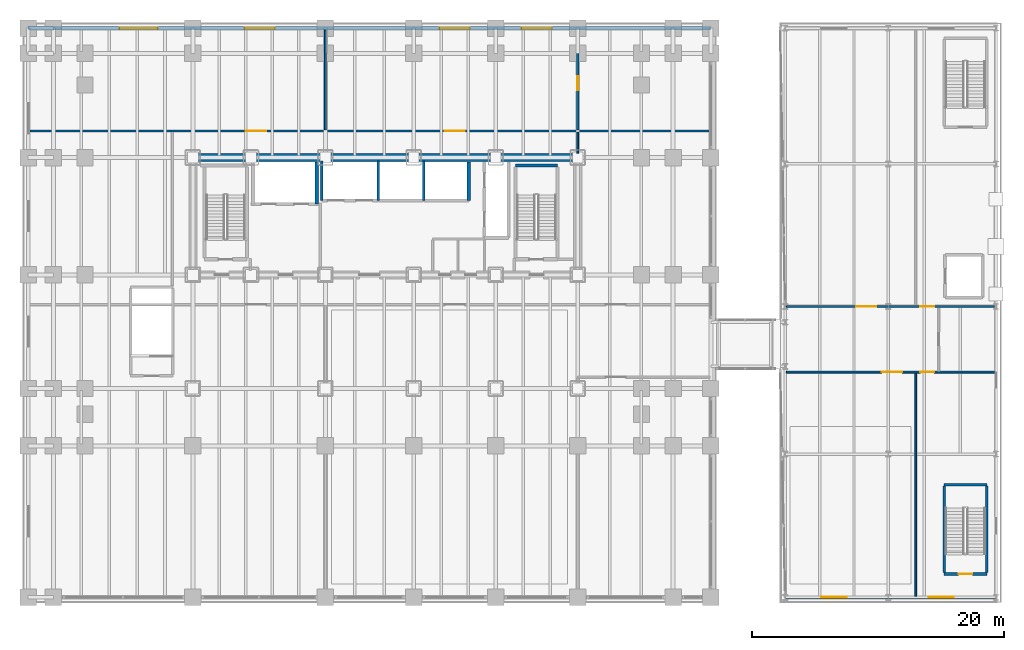
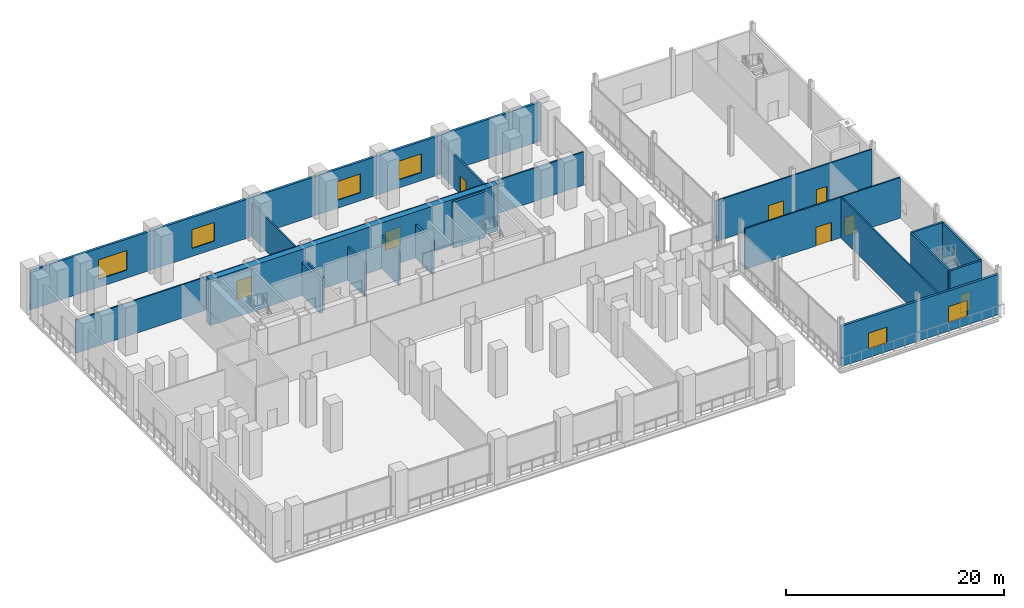
# One storey, part 23 of 30: 20 walls, 8 doors, 6 windows, 14 openings.
"""IFC4 building model written with IfcOpenShell, lengths in metres."""

from ifc_helpers import new_model, si_unit, direction, frame, frame_2d, origin, place, context, subcontext, project, spatial, rectangle, extrude, material, layer, layer_set, type_object, element, fill, save


model = new_model("IFC4")

# Units and contexts
model_context = context("Model", 3, precision=1e-05, world=origin(), true_north=direction((0.0, 1.0)))
body_context = subcontext(model_context, "Body", "Model", "MODEL_VIEW")
ifc_project = project(units=[si_unit("LENGTHUNIT", "METRE"), si_unit("AREAUNIT", "SQUARE_METRE"), si_unit("VOLUMEUNIT", "CUBIC_METRE"), si_unit("PLANEANGLEUNIT", "RADIAN"), si_unit("MASSUNIT", "GRAM", prefix="KILO")], contexts=[model_context])

# Site, building, storey
site_placement = place(None, origin())
site = spatial("IfcSite", under=ifc_project, at=site_placement, CompositionType="ELEMENT")
building_placement = place(site_placement, origin())
building = spatial("IfcBuilding", under=site, at=building_placement, Name="Noeulbin Bourse Tower", CompositionType="ELEMENT")
storey_placement = place(building_placement, frame((0.0, 0.0, 16.60009765625)))
storey = spatial("IfcBuildingStorey", under=building, at=storey_placement, Name="L04", CompositionType="ELEMENT", Elevation=16.60009765625)

# Wall
ifc_material_1 = material(Name="Concrete C60/75", Category="concrete")
ifc_layer_1 = layer(ifc_material_1, 0.64990234375)
ifc_layer_set_1 = layer_set([ifc_layer_1], Name="Concrete C60/75")
wall_type_1 = type_object("IfcWallType", Name="WAL-CORE-650", PredefinedType="SHEAR", material=ifc_layer_set_1)
wall_1_placement = place(storey_placement, frame((13.5, 38.300048828125, 0.0), z_axis=(0.0, 0.0, 1.0), x_axis=(1.0, 0.0, 0.0)))
element("IfcWall", 1, at=wall_1_placement, inside=storey, type_object=wall_type_1, Name="Rear Core North Shear Wall L04", PredefinedType="SHEAR", context=body_context, shape_type="SweptSolid", body=[
    extrude(rectangle(XDim=30.5, YDim=0.64990234375, at=frame_2d((15.25, 0.0))), origin(), (0.0, 0.0, 1.0), 5.159912109375),
])

# Wall, openings, windows
ifc_material_2 = material(Name="Precast Concrete C40/50", Category="concrete")
ifc_layer_2 = layer(ifc_material_2, 0.25)
ifc_layer_set_2 = layer_set([ifc_layer_2], Name="Precast Concrete C40/50")
wall_type_2 = type_object("IfcWallType", Name="WAL-EXT-250", PredefinedType="STANDARD", material=ifc_layer_set_2)
wall_2_placement = place(storey_placement, frame((0.449951171875, 48.550048828125, 0.0), z_axis=(0.0, 0.0, 1.0), x_axis=(1.0, 0.0, 0.0)))
wall_2 = element("IfcWall", 2, at=wall_2_placement, inside=storey, type_object=wall_type_2, Name="Podium North Precast Wall L04", PredefinedType="STANDARD", context=body_context, shape_type="SweptSolid", body=[
    extrude(rectangle(XDim=54.10009765625, YDim=0.25, at=frame_2d((27.050048828125, 0.0))), origin(), (0.0, 0.0, 1.0), 4.3798828125),
])
opening_1_placement = place(wall_2_placement, frame((7.25, 0.0, 0.89990234375)))
opening_1 = element("IfcOpeningElement", 3, at=opening_1_placement, cuts=wall_2, Name="Opening W-05", PredefinedType="OPENING", context=body_context, shape_type="SweptSolid", body=[
    extrude(rectangle(XDim=3.0, YDim=2.199951171875, at=frame_2d((1.5, 1.10009765625))), frame((0.0, 0.135009765625, 0.0), z_axis=(0.0, -1.0, 0.0), x_axis=(1.0, 0.0, 0.0)), (0.0, 0.0, 1.0), 0.27001953125),
])
opening_2_placement = place(wall_2_placement, frame((17.14990234375, 0.0, 0.89990234375)))
opening_2 = element("IfcOpeningElement", 4, at=opening_2_placement, cuts=wall_2, Name="Opening W-01", PredefinedType="OPENING", context=body_context, shape_type="SweptSolid", body=[
    extrude(rectangle(XDim=2.39990234375, YDim=2.10009765625, at=frame_2d((1.199951171875, 1.050048828125))), frame((0.0, 0.135009765625, 0.0), z_axis=(0.0, -1.0, 0.0), x_axis=(1.0, 0.0, 0.0)), (0.0, 0.0, 1.0), 0.27001953125),
])
opening_3_placement = place(wall_2_placement, frame((32.60009765625, 0.0, 0.89990234375)))
opening_3 = element("IfcOpeningElement", 5, at=opening_3_placement, cuts=wall_2, Name="Opening W-01", PredefinedType="OPENING", context=body_context, shape_type="SweptSolid", body=[
    extrude(rectangle(XDim=2.39990234375, YDim=2.10009765625, at=frame_2d((1.199951171875, 1.050048828125))), frame((0.0, 0.135009765625, 0.0), z_axis=(0.0, -1.0, 0.0), x_axis=(1.0, 0.0, 0.0)), (0.0, 0.0, 1.0), 0.27001953125),
])
opening_4_placement = place(wall_2_placement, frame((39.10009765625, 0.0, 0.89990234375)))
opening_4 = element("IfcOpeningElement", 6, at=opening_4_placement, cuts=wall_2, Name="Opening W-01", PredefinedType="OPENING", context=body_context, shape_type="SweptSolid", body=[
    extrude(rectangle(XDim=2.39990234375, YDim=2.10009765625, at=frame_2d((1.199951171875, 1.050048828125))), frame((0.0, 0.135009765625, 0.0), z_axis=(0.0, -1.0, 0.0), x_axis=(1.0, 0.0, 0.0)), (0.0, 0.0, 1.0), 0.27001953125),
])
ifc_material_3 = material(Name="Thermally Broken Aluminium Triple Glazing", Category="aluminium")
window_type_1 = type_object("IfcWindowType", Name="WIN-OBS-3000x2200", PartitioningType="DOUBLE_PANEL_VERTICAL", PredefinedType="WINDOW", material=ifc_material_3)
window_1_placement = place(opening_1_placement, origin())
window_1 = element("IfcWindow", 7, at=window_1_placement, inside=storey, type_object=window_type_1, Name="Podium North Window L04-01", OverallHeight=2.199951171875, OverallWidth=3.0, PartitioningType="SINGLE_PANEL", PredefinedType="WINDOW", context=body_context, shape_type="SweptSolid", body=[
    extrude(rectangle(XDim=3.0, YDim=2.199951171875, at=frame_2d((1.5, 1.10009765625))), frame((0.0, 0.030029296875, 0.0), z_axis=(0.0, -1.0, 0.0), x_axis=(1.0, 0.0, 0.0)), (0.0, 0.0, 1.0), 0.06005859375),
])
fill(opening_1, window_1)
window_type_2 = type_object("IfcWindowType", Name="WIN-POD-2400x2100", PartitioningType="SINGLE_PANEL", PredefinedType="WINDOW", material=ifc_material_3)
window_2_placement = place(opening_2_placement, origin())
window_2 = element("IfcWindow", 8, at=window_2_placement, inside=storey, type_object=window_type_2, Name="Podium North Window L04-02", OverallHeight=2.10009765625, OverallWidth=2.39990234375, PartitioningType="SINGLE_PANEL", PredefinedType="WINDOW", context=body_context, shape_type="SweptSolid", body=[
    extrude(rectangle(XDim=2.39990234375, YDim=2.10009765625, at=frame_2d((1.199951171875, 1.050048828125))), frame((0.0, 0.030029296875, 0.0), z_axis=(0.0, -1.0, 0.0), x_axis=(1.0, 0.0, 0.0)), (0.0, 0.0, 1.0), 0.06005859375),
])
fill(opening_2, window_2)
window_3_placement = place(opening_3_placement, origin())
window_3 = element("IfcWindow", 9, at=window_3_placement, inside=storey, type_object=window_type_2, Name="Podium North Window L04-03", OverallHeight=2.10009765625, OverallWidth=2.39990234375, PartitioningType="SINGLE_PANEL", PredefinedType="WINDOW", context=body_context, shape_type="SweptSolid", body=[
    extrude(rectangle(XDim=2.39990234375, YDim=2.10009765625, at=frame_2d((1.199951171875, 1.050048828125))), frame((0.0, 0.030029296875, 0.0), z_axis=(0.0, -1.0, 0.0), x_axis=(1.0, 0.0, 0.0)), (0.0, 0.0, 1.0), 0.06005859375),
])
fill(opening_3, window_3)
window_4_placement = place(opening_4_placement, origin())
window_4 = element("IfcWindow", 10, at=window_4_placement, inside=storey, type_object=window_type_2, Name="Podium North Window L04-04", OverallHeight=2.10009765625, OverallWidth=2.39990234375, PartitioningType="SINGLE_PANEL", PredefinedType="WINDOW", context=body_context, shape_type="SweptSolid", body=[
    extrude(rectangle(XDim=2.39990234375, YDim=2.10009765625, at=frame_2d((1.199951171875, 1.050048828125))), frame((0.0, 0.030029296875, 0.0), z_axis=(0.0, -1.0, 0.0), x_axis=(1.0, 0.0, 0.0)), (0.0, 0.0, 1.0), 0.06005859375),
])
fill(opening_4, window_4)

wall_3_placement = place(storey_placement, frame((60.449951171875, 3.449951171875, 0.0), z_axis=(0.0, 0.0, 1.0), x_axis=(1.0, 0.0, 0.0)))
wall_3 = element("IfcWall", 11, at=wall_3_placement, inside=storey, type_object=wall_type_2, Name="Market Hall South Wall L04", PredefinedType="STANDARD", context=body_context, shape_type="SweptSolid", body=[
    extrude(rectangle(XDim=16.699951171875, YDim=0.25, at=frame_2d((8.35009765625, 0.0))), origin(), (0.0, 0.0, 1.0), 4.510009765625),
])
opening_5_placement = place(wall_3_placement, frame((2.85009765625, 0.0, 0.949951171875)))
opening_5 = element("IfcOpeningElement", 12, at=opening_5_placement, cuts=wall_3, Name="Opening W-02", PredefinedType="OPENING", context=body_context, shape_type="SweptSolid", body=[
    extrude(rectangle(XDim=2.0, YDim=1.800048828125, at=frame_2d((1.0, 0.89990234375))), frame((0.0, 0.135009765625, 0.0), z_axis=(0.0, -1.0, 0.0), x_axis=(1.0, 0.0, 0.0)), (0.0, 0.0, 1.0), 0.27001953125),
])
opening_6_placement = place(wall_3_placement, frame((11.35009765625, 0.0, 0.949951171875)))
opening_6 = element("IfcOpeningElement", 13, at=opening_6_placement, cuts=wall_3, Name="Opening W-02", PredefinedType="OPENING", context=body_context, shape_type="SweptSolid", body=[
    extrude(rectangle(XDim=2.0, YDim=1.800048828125, at=frame_2d((1.0, 0.89990234375))), frame((0.0, 0.135009765625, 0.0), z_axis=(0.0, -1.0, 0.0), x_axis=(1.0, 0.0, 0.0)), (0.0, 0.0, 1.0), 0.27001953125),
])
window_type_3 = type_object("IfcWindowType", Name="WIN-MKT-2000x1800", PartitioningType="DOUBLE_PANEL_VERTICAL", PredefinedType="WINDOW", material=ifc_material_3)
window_5_placement = place(opening_5_placement, origin())
window_5 = element("IfcWindow", 14, at=window_5_placement, inside=storey, type_object=window_type_3, Name="Market South Window L04-1", OverallHeight=1.800048828125, OverallWidth=2.0, PartitioningType="SINGLE_PANEL", PredefinedType="WINDOW", context=body_context, shape_type="SweptSolid", body=[
    extrude(rectangle(XDim=2.0, YDim=1.800048828125, at=frame_2d((1.0, 0.89990234375))), frame((0.0, 0.030029296875, 0.0), z_axis=(0.0, -1.0, 0.0), x_axis=(1.0, 0.0, 0.0)), (0.0, 0.0, 1.0), 0.06005859375),
])
fill(opening_5, window_5)
window_6_placement = place(opening_6_placement, origin())
window_6 = element("IfcWindow", 15, at=window_6_placement, inside=storey, type_object=window_type_3, Name="Market South Window L04-2", OverallHeight=1.800048828125, OverallWidth=2.0, PartitioningType="SINGLE_PANEL", PredefinedType="WINDOW", context=body_context, shape_type="SweptSolid", body=[
    extrude(rectangle(XDim=2.0, YDim=1.800048828125, at=frame_2d((1.0, 0.89990234375))), frame((0.0, 0.030029296875, 0.0), z_axis=(0.0, -1.0, 0.0), x_axis=(1.0, 0.0, 0.0)), (0.0, 0.0, 1.0), 0.06005859375),
])
fill(opening_6, window_6)

# Wall, opening, door
ifc_material_4 = material(Name="Concrete C40/50", Category="concrete")
ifc_layer_3 = layer(ifc_material_4, 0.199951171875)
ifc_layer_set_3 = layer_set([ifc_layer_3], Name="Concrete C40/50")
wall_type_3 = type_object("IfcWallType", Name="WAL-FIRE-200", PredefinedType="STANDARD", material=ifc_layer_set_3)
wall_4_placement = place(storey_placement, frame((73.02001953125, 5.300048828125, 0.0), z_axis=(0.0, 0.0, 1.0), x_axis=(1.0, 0.0, 0.0)))
wall_4 = element("IfcWall", 16, at=wall_4_placement, inside=storey, type_object=wall_type_3, Name="Stair MST1 South Wall L04", PredefinedType="STANDARD", context=body_context, shape_type="SweptSolid", body=[
    extrude(rectangle(XDim=3.39990234375, YDim=0.199951171875, at=frame_2d((1.699951171875, 0.0))), origin(), (0.0, 0.0, 1.0), 5.179931640625),
])
opening_7_placement = place(wall_4_placement, frame((1.14990234375, 0.0, 0.0)))
opening_7 = element("IfcOpeningElement", 17, at=opening_7_placement, cuts=wall_4, Name="Opening FD-11", PredefinedType="OPENING", context=body_context, shape_type="SweptSolid", body=[
    extrude(rectangle(XDim=1.10009765625, YDim=2.080078125, at=frame_2d((0.550048828125, 1.0400390625))), frame((0.0, 0.10986328125, 0.0), z_axis=(0.0, -1.0, 0.0), x_axis=(1.0, 0.0, 0.0)), (0.0, 0.0, 1.0), 0.219970703125),
])
ifc_material_5 = material(Name="Fire-Rated Insulated Steel", Category="steel")
door_type_1 = type_object("IfcDoorType", Name="DR-FD60-1100", OperationType="SINGLE_SWING_LEFT", PredefinedType="DOOR", material=ifc_material_5)
door_1_placement = place(opening_7_placement, origin())
door_1 = element("IfcDoor", 18, at=door_1_placement, inside=storey, type_object=door_type_1, Name="Escape Stair Door MST1-L04", OperationType="SINGLE_SWING_RIGHT", OverallHeight=2.080078125, OverallWidth=1.10009765625, PredefinedType="DOOR", context=body_context, shape_type="SweptSolid", body=[
    extrude(rectangle(XDim=1.10009765625, YDim=2.080078125, at=frame_2d((0.550048828125, 1.0400390625))), frame((0.0, 0.02490234375, 0.0), z_axis=(0.0, -1.0, 0.0), x_axis=(1.0, 0.0, 0.0)), (0.0, 0.0, 1.0), 0.050048828125),
])
fill(opening_7, door_1)

# Walls
wall_5_placement = place(storey_placement, frame((73.02001953125, 12.360107421875, 0.0), z_axis=(0.0, 0.0, 1.0), x_axis=(1.0, 0.0, 0.0)))
element("IfcWall", 19, at=wall_5_placement, inside=storey, type_object=wall_type_3, Name="Stair MST1 North Wall L04", PredefinedType="STANDARD", context=body_context, shape_type="SweptSolid", body=[
    extrude(rectangle(XDim=3.39990234375, YDim=0.199951171875, at=frame_2d((1.699951171875, 0.0))), origin(), (0.0, 0.0, 1.0), 5.179931640625),
])
for number, where, z_axis, x_axis, name in (
    (20, (73.0400390625, 5.39990234375, 0.0), (0.0, 0.0, 1.0), (0.0, 1.0, 0.0), "Stair MST1 West Wall L04"),
    (21, (76.39990234375, 5.39990234375, 0.0), (0.0, 0.0, 1.0), (0.0, 1.0, 0.0), "Stair MST1 East Wall L04"),
):
    element("IfcWall", number, at=place(storey_placement, frame(where, z_axis=z_axis, x_axis=x_axis)), inside=storey, type_object=wall_type_3, Name=name, PredefinedType="STANDARD", context=body_context, shape_type="SweptSolid", body=[
        extrude(rectangle(XDim=6.860107421875, YDim=0.199951171875, at=frame_2d((3.43017578125, 0.0))), origin(), (0.0, 0.0, 1.0), 5.179931640625),
    ])

# Wall, opening, door
wall_6_placement = place(storey_placement, frame((44.0, 40.485107421875, 0.0), z_axis=(0.0, 0.0, 1.0), x_axis=(0.0, 1.0, 0.0)))
wall_6 = element("IfcWall", 22, at=wall_6_placement, inside=storey, type_object=wall_type_3, Name="Interior Partition Wall L04-12", PredefinedType="STANDARD", context=body_context, shape_type="SweptSolid", body=[
    extrude(rectangle(XDim=7.934814453125, YDim=0.199951171875, at=frame_2d((3.96728515625, 0.0))), origin(), (0.0, 0.0, 1.0), 3.739990234375),
])
opening_8_placement = place(wall_6_placement, frame((3.1650390625, 0.0, 0.0)))
opening_8 = element("IfcOpeningElement", 23, at=opening_8_placement, cuts=wall_6, Name="Opening FD-11", PredefinedType="OPENING", context=body_context, shape_type="SweptSolid", body=[
    extrude(rectangle(XDim=1.10009765625, YDim=2.080078125, at=frame_2d((0.550048828125, 1.0400390625))), frame((0.0, 0.10986328125, 0.0), z_axis=(0.0, -1.0, 0.0), x_axis=(1.0, 0.0, 0.0)), (0.0, 0.0, 1.0), 0.219970703125),
])
door_2_placement = place(opening_8_placement, origin())
door_2 = element("IfcDoor", 24, at=door_2_placement, inside=storey, type_object=door_type_1, Name="Interior Door L04-07", OperationType="SINGLE_SWING_LEFT", OverallHeight=2.080078125, OverallWidth=1.10009765625, PredefinedType="DOOR", context=body_context, shape_type="SweptSolid", body=[
    extrude(rectangle(XDim=1.10009765625, YDim=2.080078125, at=frame_2d((0.550048828125, 1.0400390625))), frame((0.0, 0.02490234375, 0.0), z_axis=(0.0, -1.0, 0.0), x_axis=(1.0, 0.0, 0.0)), (0.0, 0.0, 1.0), 0.050048828125),
])
fill(opening_8, door_2)

# Wall, openings, doors
ifc_material_6 = material(Name="Steel Stud Acoustic Gypsum Board", Category="steel")
ifc_layer_4 = layer(ifc_material_6, 0.14990234375)
ifc_layer_set_4 = layer_set([ifc_layer_4], Name="Steel Stud Acoustic Gypsum Board")
wall_type_4 = type_object("IfcWallType", Name="WAL-PRT-150", PredefinedType="PARTITIONING", material=ifc_layer_set_4)
wall_7_placement = place(storey_placement, frame((0.580078125, 40.39990234375, 0.0), z_axis=(0.0, 0.0, 1.0), x_axis=(1.0, 0.0, 0.0)))
wall_7 = element("IfcWall", 25, at=wall_7_placement, inside=storey, type_object=wall_type_4, Name="Interior Partition Wall L04-03", PredefinedType="PARTITIONING", context=body_context, shape_type="SweptSolid", body=[
    extrude(rectangle(XDim=53.889892578125, YDim=0.14990234375, at=frame_2d((26.94482421875, 0.0))), origin(), (0.0, 0.0, 1.0), 3.739990234375),
])
opening_9_placement = place(wall_7_placement, frame((17.1201171875, 0.0, 0.0)))
opening_9 = element("IfcOpeningElement", 26, at=opening_9_placement, cuts=wall_7, Name="Opening ID-16", PredefinedType="OPENING", context=body_context, shape_type="SweptSolid", body=[
    extrude(rectangle(XDim=1.60009765625, YDim=2.080078125, at=frame_2d((0.800048828125, 1.0400390625))), frame((0.0, 0.0849609375, 0.0), z_axis=(0.0, -1.0, 0.0), x_axis=(1.0, 0.0, 0.0)), (0.0, 0.0, 1.0), 0.169921875),
])
opening_10_placement = place(wall_7_placement, frame((32.8701171875, 0.0, 0.0)))
opening_10 = element("IfcOpeningElement", 27, at=opening_10_placement, cuts=wall_7, Name="Opening ID-16", PredefinedType="OPENING", context=body_context, shape_type="SweptSolid", body=[
    extrude(rectangle(XDim=1.60009765625, YDim=2.080078125, at=frame_2d((0.800048828125, 1.0400390625))), frame((0.0, 0.0849609375, 0.0), z_axis=(0.0, -1.0, 0.0), x_axis=(1.0, 0.0, 0.0)), (0.0, 0.0, 1.0), 0.169921875),
])
ifc_material_7 = material(Name="Acoustic Glazed Aluminium", Category="aluminium")
door_type_2 = type_object("IfcDoorType", Name="DR-DBL-1600", OperationType="DOUBLE_DOOR_SINGLE_SWING", PredefinedType="DOOR", material=ifc_material_7)
door_3_placement = place(opening_9_placement, origin())
door_3 = element("IfcDoor", 28, at=door_3_placement, inside=storey, type_object=door_type_2, Name="Interior Door L04-05", OperationType="DOUBLE_DOOR_SINGLE_SWING", OverallHeight=2.080078125, OverallWidth=1.60009765625, PredefinedType="DOOR", context=body_context, shape_type="SweptSolid", body=[
    extrude(rectangle(XDim=1.60009765625, YDim=2.080078125, at=frame_2d((0.800048828125, 1.0400390625))), frame((0.0, 0.02490234375, 0.0), z_axis=(0.0, -1.0, 0.0), x_axis=(1.0, 0.0, 0.0)), (0.0, 0.0, 1.0), 0.050048828125),
])
fill(opening_9, door_3)
door_4_placement = place(opening_10_placement, origin())
door_4 = element("IfcDoor", 29, at=door_4_placement, inside=storey, type_object=door_type_2, Name="Interior Door L04-06", OperationType="DOUBLE_DOOR_SINGLE_SWING", OverallHeight=2.080078125, OverallWidth=1.60009765625, PredefinedType="DOOR", context=body_context, shape_type="SweptSolid", body=[
    extrude(rectangle(XDim=1.60009765625, YDim=2.080078125, at=frame_2d((0.800048828125, 1.0400390625))), frame((0.0, 0.02490234375, 0.0), z_axis=(0.0, -1.0, 0.0), x_axis=(1.0, 0.0, 0.0)), (0.0, 0.0, 1.0), 0.050048828125),
])
fill(opening_10, door_4)

wall_8_placement = place(storey_placement, frame((60.530029296875, 21.300048828125, 0.0), z_axis=(0.0, 0.0, 1.0), x_axis=(1.0, 0.0, 0.0)))
wall_8 = element("IfcWall", 30, at=wall_8_placement, inside=storey, type_object=wall_type_4, Name="Interior Partition Wall L04-04", PredefinedType="PARTITIONING", context=body_context, shape_type="SweptSolid", body=[
    extrude(rectangle(XDim=16.489990234375, YDim=0.14990234375, at=frame_2d((8.2451171875, 0.0))), origin(), (0.0, 0.0, 1.0), 4.559814453125),
])
opening_11_placement = place(wall_8_placement, frame((7.570068359375, 0.0, 0.0)))
opening_11 = element("IfcOpeningElement", 31, at=opening_11_placement, cuts=wall_8, Name="Opening ID-16", PredefinedType="OPENING", context=body_context, shape_type="SweptSolid", body=[
    extrude(rectangle(XDim=1.60009765625, YDim=2.080078125, at=frame_2d((0.800048828125, 1.0400390625))), frame((0.0, 0.0849609375, 0.0), z_axis=(0.0, -1.0, 0.0), x_axis=(1.0, 0.0, 0.0)), (0.0, 0.0, 1.0), 0.169921875),
])
opening_12_placement = place(wall_8_placement, frame((10.60009765625, 0.0, 0.0)))
opening_12 = element("IfcOpeningElement", 32, at=opening_12_placement, cuts=wall_8, Name="Opening FD-11", PredefinedType="OPENING", context=body_context, shape_type="SweptSolid", body=[
    extrude(rectangle(XDim=1.10009765625, YDim=2.080078125, at=frame_2d((0.550048828125, 1.0400390625))), frame((0.0, 0.0849609375, 0.0), z_axis=(0.0, -1.0, 0.0), x_axis=(1.0, 0.0, 0.0)), (0.0, 0.0, 1.0), 0.169921875),
])
door_5_placement = place(opening_11_placement, origin())
door_5 = element("IfcDoor", 33, at=door_5_placement, inside=storey, type_object=door_type_2, Name="Interior Door L04-08", OperationType="DOUBLE_DOOR_SINGLE_SWING", OverallHeight=2.080078125, OverallWidth=1.60009765625, PredefinedType="DOOR", context=body_context, shape_type="SweptSolid", body=[
    extrude(rectangle(XDim=1.60009765625, YDim=2.080078125, at=frame_2d((0.800048828125, 1.0400390625))), frame((0.0, 0.02490234375, 0.0), z_axis=(0.0, -1.0, 0.0), x_axis=(1.0, 0.0, 0.0)), (0.0, 0.0, 1.0), 0.050048828125),
])
fill(opening_11, door_5)
door_6_placement = place(opening_12_placement, origin())
door_6 = element("IfcDoor", 34, at=door_6_placement, inside=storey, type_object=door_type_1, Name="Market South Stair Corridor Door L04", OperationType="SINGLE_SWING_RIGHT", OverallHeight=2.080078125, OverallWidth=1.10009765625, PredefinedType="DOOR", context=body_context, shape_type="SweptSolid", body=[
    extrude(rectangle(XDim=1.10009765625, YDim=2.080078125, at=frame_2d((0.550048828125, 1.0400390625))), frame((0.0, 0.02490234375, 0.0), z_axis=(0.0, -1.0, 0.0), x_axis=(1.0, 0.0, 0.0)), (0.0, 0.0, 1.0), 0.050048828125),
])
fill(opening_12, door_6)

wall_9_placement = place(storey_placement, frame((60.530029296875, 26.5, 0.0), z_axis=(0.0, 0.0, 1.0), x_axis=(1.0, 0.0, 0.0)))
wall_9 = element("IfcWall", 35, at=wall_9_placement, inside=storey, type_object=wall_type_4, Name="Interior Partition Wall L04-05", PredefinedType="PARTITIONING", context=body_context, shape_type="SweptSolid", body=[
    extrude(rectangle(XDim=16.489990234375, YDim=0.14990234375, at=frame_2d((8.2451171875, 0.0))), origin(), (0.0, 0.0, 1.0), 4.559814453125),
])
opening_13_placement = place(wall_9_placement, frame((5.52001953125, 0.0, 0.0)))
opening_13 = element("IfcOpeningElement", 36, at=opening_13_placement, cuts=wall_9, Name="Opening ID-16", PredefinedType="OPENING", context=body_context, shape_type="SweptSolid", body=[
    extrude(rectangle(XDim=1.60009765625, YDim=2.080078125, at=frame_2d((0.800048828125, 1.0400390625))), frame((0.0, 0.0849609375, 0.0), z_axis=(0.0, -1.0, 0.0), x_axis=(1.0, 0.0, 0.0)), (0.0, 0.0, 1.0), 0.169921875),
])
opening_14_placement = place(wall_9_placement, frame((10.60009765625, 0.0, 0.0)))
opening_14 = element("IfcOpeningElement", 37, at=opening_14_placement, cuts=wall_9, Name="Opening FD-11", PredefinedType="OPENING", context=body_context, shape_type="SweptSolid", body=[
    extrude(rectangle(XDim=1.10009765625, YDim=2.080078125, at=frame_2d((0.550048828125, 1.0400390625))), frame((0.0, 0.0849609375, 0.0), z_axis=(0.0, -1.0, 0.0), x_axis=(1.0, 0.0, 0.0)), (0.0, 0.0, 1.0), 0.169921875),
])
door_7_placement = place(opening_13_placement, origin())
door_7 = element("IfcDoor", 38, at=door_7_placement, inside=storey, type_object=door_type_2, Name="Interior Door L04-09", OperationType="DOUBLE_DOOR_SINGLE_SWING", OverallHeight=2.080078125, OverallWidth=1.60009765625, PredefinedType="DOOR", context=body_context, shape_type="SweptSolid", body=[
    extrude(rectangle(XDim=1.60009765625, YDim=2.080078125, at=frame_2d((0.800048828125, 1.0400390625))), frame((0.0, 0.02490234375, 0.0), z_axis=(0.0, -1.0, 0.0), x_axis=(1.0, 0.0, 0.0)), (0.0, 0.0, 1.0), 0.050048828125),
])
fill(opening_13, door_7)
door_8_placement = place(opening_14_placement, origin())
door_8 = element("IfcDoor", 39, at=door_8_placement, inside=storey, type_object=door_type_1, Name="Market North Stair Corridor Door L04", OperationType="SINGLE_SWING_LEFT", OverallHeight=2.080078125, OverallWidth=1.10009765625, PredefinedType="DOOR", context=body_context, shape_type="SweptSolid", body=[
    extrude(rectangle(XDim=1.10009765625, YDim=2.080078125, at=frame_2d((0.550048828125, 1.0400390625))), frame((0.0, 0.02490234375, 0.0), z_axis=(0.0, -1.0, 0.0), x_axis=(1.0, 0.0, 0.0)), (0.0, 0.0, 1.0), 0.050048828125),
])
fill(opening_14, door_8)

# Walls
wall_10_placement = place(storey_placement, frame((24.0, 40.485107421875, 0.0), z_axis=(0.0, 0.0, 1.0), x_axis=(0.0, 1.0, 0.0)))
element("IfcWall", 40, at=wall_10_placement, inside=storey, type_object=wall_type_4, Name="Interior Partition Wall L04-11", PredefinedType="PARTITIONING", context=body_context, shape_type="SweptSolid", body=[
    extrude(rectangle(XDim=7.934814453125, YDim=0.14990234375, at=frame_2d((3.96728515625, 0.0))), origin(), (0.0, 0.0, 1.0), 3.739990234375),
])
wall_11_placement = place(storey_placement, frame((44.0, 38.635009765625, 0.0), z_axis=(0.0, 0.0, 1.0), x_axis=(0.0, 1.0, 0.0)))
element("IfcWall", 41, at=wall_11_placement, inside=storey, type_object=wall_type_4, Name="Interior Partition Wall L04-13", PredefinedType="PARTITIONING", context=body_context, shape_type="SweptSolid", body=[
    extrude(rectangle(XDim=1.679931640625, YDim=0.14990234375, at=frame_2d((0.83984375, 0.0))), origin(), (0.0, 0.0, 1.0), 3.739990234375),
])
wall_12_placement = place(storey_placement, frame((70.780029296875, 3.530029296875, 0.0), z_axis=(0.0, 0.0, 1.0), x_axis=(0.0, 1.0, 0.0)))
element("IfcWall", 42, at=wall_12_placement, inside=storey, type_object=wall_type_4, Name="Interior Partition Wall L04-15", PredefinedType="PARTITIONING", context=body_context, shape_type="SweptSolid", body=[
    extrude(rectangle(XDim=17.68505859375, YDim=0.14990234375, at=frame_2d((8.842529296875, 0.0))), origin(), (0.0, 0.0, 1.0), 4.559814453125),
])
ifc_layer_5 = layer(ifc_material_4, 0.25)
ifc_layer_set_5 = layer_set([ifc_layer_5], Name="Concrete C40/50")
wall_type_5 = type_object("IfcWallType", Name="WAL-SHFT-250", PredefinedType="STANDARD", material=ifc_layer_set_5)
wall_13_placement = place(storey_placement, frame((39.06005859375, 37.6689453125, 0.0), z_axis=(0.0, 0.0, 1.0), x_axis=(1.0, 0.0, 0.0)))
element("IfcWall", 43, at=wall_13_placement, inside=storey, type_object=wall_type_5, Name="Stair ST-2 North Shaft Wall L04", PredefinedType="STANDARD", context=body_context, shape_type="SweptSolid", body=[
    extrude(rectangle(XDim=3.33984375, YDim=0.25, at=frame_2d((1.669921875, 0.0))), origin(), (0.0, 0.0, 1.0), 5.159912109375),
])
wall_14_placement = place(storey_placement, frame((23.320068359375, 34.6201171875, 0.0), z_axis=(0.0, 0.0, 1.0), x_axis=(0.0, 1.0, 0.0)))
element("IfcWall", 44, at=wall_14_placement, inside=storey, type_object=wall_type_5, Name="Firefighting Lift East Shaft Wall L04", PredefinedType="STANDARD", context=body_context, shape_type="SweptSolid", body=[
    extrude(rectangle(XDim=3.329833984375, YDim=0.25, at=frame_2d((1.6650390625, 0.0))), origin(), (0.0, 0.0, 1.0), 3.739990234375),
])
wall_15_placement = place(storey_placement, frame((35.360107421875, 34.89990234375, 0.0), z_axis=(0.0, 0.0, 1.0), x_axis=(0.0, 1.0, 0.0)))
element("IfcWall", 45, at=wall_15_placement, inside=storey, type_object=wall_type_5, Name="High-Rise Lift East Shaft Wall L04", PredefinedType="STANDARD", context=body_context, shape_type="SweptSolid", body=[
    extrude(rectangle(XDim=3.050048828125, YDim=0.25, at=frame_2d((1.52490234375, 0.0))), origin(), (0.0, 0.0, 1.0), 3.739990234375),
])
for number, where, z_axis, x_axis, name in (
    (46, (23.719970703125, 34.89990234375, 0.0), (0.0, 0.0, 1.0), (0.0, 1.0, 0.0), "Hoistway Side Shaft Wall L04-PLLW"),
    (47, (28.179931640625, 34.89990234375, 0.0), (0.0, 0.0, 1.0), (0.0, 1.0, 0.0), "Hoistway Side Shaft Wall L04-PLMW"),
    (48, (31.780029296875, 34.89990234375, 0.0), (0.0, 0.0, 1.0), (0.0, 1.0, 0.0), "Hoistway Side Shaft Wall L04-PLHW"),
):
    element("IfcWall", number, at=place(storey_placement, frame(where, z_axis=z_axis, x_axis=x_axis)), inside=storey, type_object=wall_type_5, Name=name, PredefinedType="STANDARD", context=body_context, shape_type="SweptSolid", body=[
        extrude(rectangle(XDim=3.1201171875, YDim=0.199951171875, at=frame_2d((1.56005859375, 0.0))), origin(), (0.0, 0.0, 1.0), 3.739990234375),
    ])

save(model, "model.ifc")
